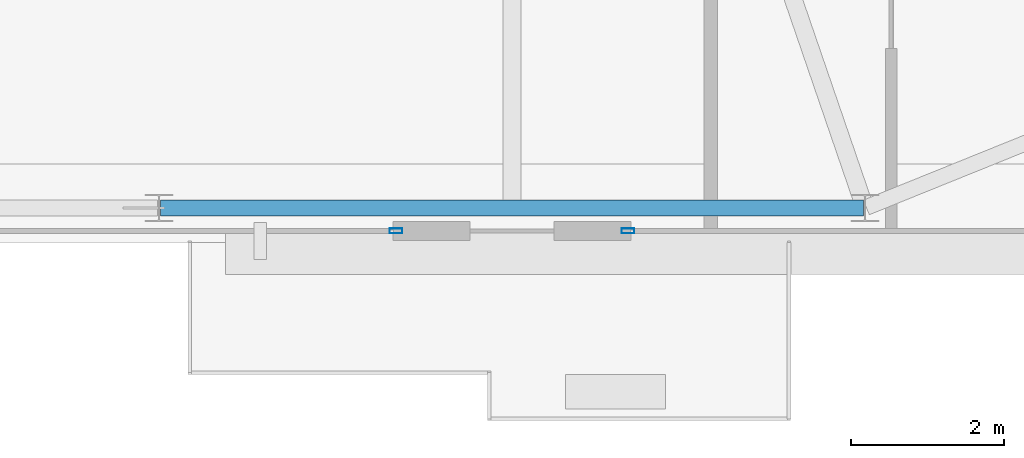
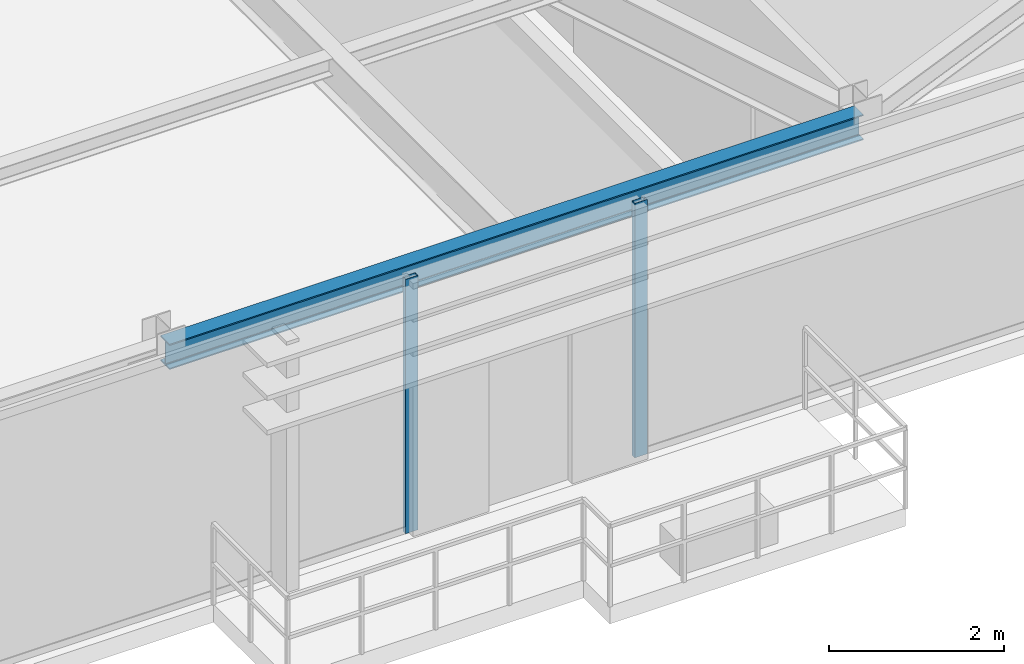
# One storey, part 12 of 30: 2 members, 1 beam, 2 elements without a shape of their own.
"""IFC4 building model written with IfcOpenShell, lengths in metres."""

from ifc_helpers import new_model, si_unit, direction, frame, origin, origin_2d, place, context, subcontext, project, spatial, hollow_rectangle, i_section, extrude, source, transform, mapped, material, layer, layer_set, material_profile, profile_set, type_object, type_shapes, element, aggregate, save


model = new_model("IFC4")

# Units and contexts
model_context = context("Model", 3, precision=1e-05, world=origin(), true_north=direction((0.0, 1.0)))
body_context = subcontext(model_context, "Body", "Model", "MODEL_VIEW")
ifc_project = project(units=[si_unit("LENGTHUNIT", "METRE"), si_unit("AREAUNIT", "SQUARE_METRE"), si_unit("VOLUMEUNIT", "CUBIC_METRE"), si_unit("PLANEANGLEUNIT", "RADIAN"), si_unit("MASSUNIT", "GRAM", prefix="KILO")], contexts=[model_context])

# Site, building, storey
site_placement = place(None, origin())
site = spatial("IfcSite", under=ifc_project, at=site_placement, CompositionType="ELEMENT")
building_placement = place(site_placement, origin())
building = spatial("IfcBuilding", under=site, at=building_placement, Name="Varnel Quay Broadcast Tower", CompositionType="ELEMENT")
storey_placement = place(building_placement, frame((0.0, 0.0, 211.199951171875)))
storey = spatial("IfcBuildingStorey", under=building, at=storey_placement, Name="L52", CompositionType="ELEMENT", Elevation=211.199951171875)

# Beam
ifc_material_1 = material(Name="Structural Steel CSA G40.21 350W", Category="steel")
ifc_material_profile_1 = material_profile(ifc_material_1, i_section(OverallWidth=0.205078125, OverallDepth=0.35400390625, WebThickness=0.009521484375, FlangeThickness=0.016845703125, FilletRadius=0.012939453125, at=origin_2d()), Name="W360X79")
ifc_profile_set_1 = profile_set([ifc_material_profile_1], Name="Structural Steel CSA G40.21 350W")
beam_type = type_object("IfcBeamType", Name="Beam_W360X79", PredefinedType="SPANDREL", material=ifc_profile_set_1)
shared_shape_1 = source(origin(), body_context, "Body", "SweptSolid", [
    extrude(i_section(OverallWidth=0.205078125, OverallDepth=0.35400390625, WebThickness=0.009521484375, FlangeThickness=0.016845703125, FilletRadius=0.012939453125, at=origin_2d()), origin(), (0.0, 0.0, 1.0), 9.159912109375),
])
type_shapes(beam_type, [shared_shape_1])
beam_placement = place(storey_placement, frame((38.6201171875, 10.64990234375, 3.373046875), z_axis=(1.0, 0.0, 0.0), x_axis=(0.0, 1.0, 0.0)))
element("IfcBeam", 1, at=beam_placement, inside=storey, type_object=beam_type, Name="L52 South Spandrel TC-S3-TC-S4", PredefinedType="SPANDREL", context=body_context, shape_type="MappedRepresentation", body=[
    mapped(shared_shape_1, transform((0.0, 0.0, 0.0), x_axis=(1.0, 0.0, 0.0), y_axis=(0.0, 1.0, 0.0), z_axis=(0.0, 0.0, 1.0), scale=1.0)),
])

# Curtain wall, member
ifc_material_2 = material(Name="Anodised Bronze Aluminium 6063-T6", Category="aluminium")
ifc_layer = layer(ifc_material_2, 0.18994140625, Name="Anodised Bronze Aluminium 6063-T6")
ifc_layer_set = layer_set([ifc_layer], Name="Anodised Bronze Aluminium 6063-T6")
curtain_wall_type = type_object("IfcCurtainWallType", Name="CW_UpperTower", PredefinedType="NOTDEFINED", material=ifc_layer_set)
curtain_wall_1_placement = place(storey_placement, origin())
curtain_wall_1 = element("IfcCurtainWall", 2, at=curtain_wall_1_placement, inside=storey, type_object=curtain_wall_type, Name="L52 South Unitised Curtain Wall 2", PredefinedType="NOTDEFINED")
ifc_material_profile_2 = material_profile(ifc_material_2, hollow_rectangle(XDim=0.06494140625, YDim=0.1650390625, WallThickness=0.00341796875, at=origin_2d()), Name="ALU65X165X3.5")
ifc_profile_set_2 = profile_set([ifc_material_profile_2], Name="Anodised Bronze Aluminium 6063-T6")
member_type = type_object("IfcMemberType", Name="Mull_CWS-03", PredefinedType="MULLION", material=ifc_profile_set_2)
shared_shape_2 = source(origin(), body_context, "Body", "SweptSolid", [
    extrude(hollow_rectangle(XDim=0.06494140625, YDim=0.1650390625, WallThickness=0.00341796875, at=origin_2d()), origin(), (0.0, 0.0, 1.0), 3.550048828125),
])
type_shapes(member_type, [shared_shape_2])
member_1_placement = place(storey_placement, frame((41.6875, 10.35009765625, 0.0), z_axis=(0.0, 0.0, 1.0), x_axis=(0.0, 1.0, 0.0)))
member_1 = element("IfcMember", 3, at=member_1_placement, type_object=member_type, Name="CWS-03 mullion 2", PredefinedType="MULLION", context=body_context, shape_type="MappedRepresentation", body=[
    mapped(shared_shape_2, transform((0.0, 0.0, 0.0), x_axis=(1.0, 0.0, 0.0), y_axis=(0.0, 1.0, 0.0), z_axis=(0.0, 0.0, 1.0), scale=1.0)),
])
aggregate(curtain_wall_1, [member_1])

curtain_wall_2_placement = place(storey_placement, origin())
curtain_wall_2 = element("IfcCurtainWall", 4, at=curtain_wall_2_placement, inside=storey, type_object=curtain_wall_type, Name="L52 South Unitised Curtain Wall 3", PredefinedType="NOTDEFINED")
member_2_placement = place(storey_placement, frame((44.71240234375, 10.35009765625, 0.0), z_axis=(0.0, 0.0, 1.0), x_axis=(0.0, 1.0, 0.0)))
member_2 = element("IfcMember", 5, at=member_2_placement, type_object=member_type, Name="CWS-03 mullion 1", PredefinedType="MULLION", context=body_context, shape_type="MappedRepresentation", body=[
    mapped(shared_shape_2, transform((0.0, 0.0, 0.0), x_axis=(1.0, 0.0, 0.0), y_axis=(0.0, 1.0, 0.0), z_axis=(0.0, 0.0, 1.0), scale=1.0)),
])
aggregate(curtain_wall_2, [member_2])

save(model, "model.ifc")
